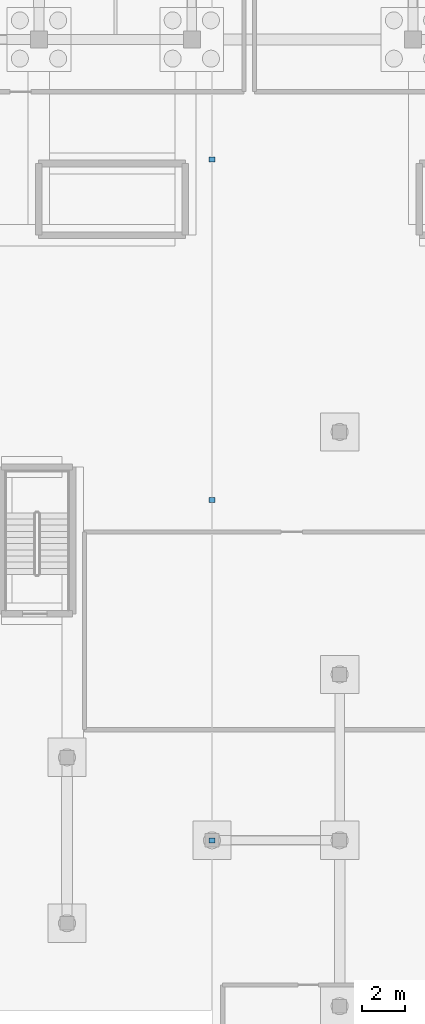
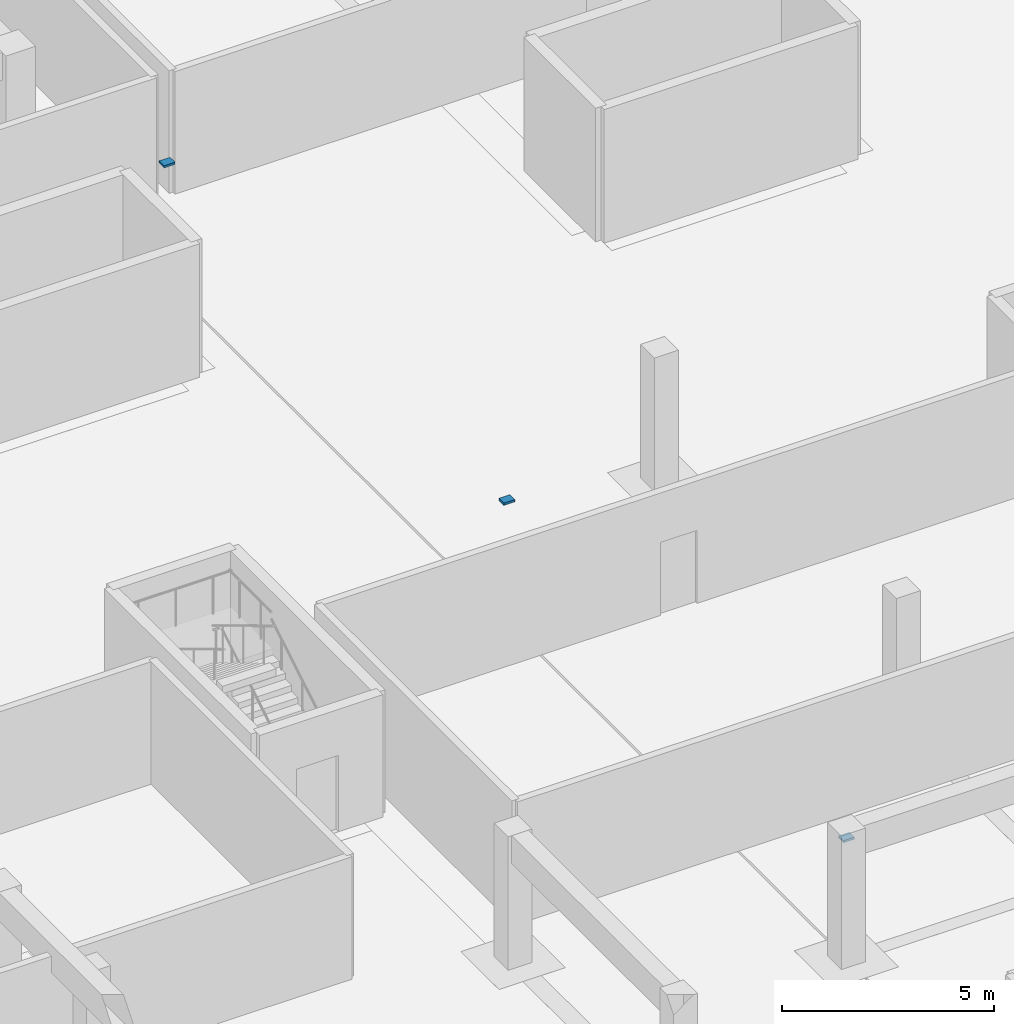
# One storey, part 30 of 35: 3 discrete accessories.
"""IFC4 building model written with IfcOpenShell, lengths in metres."""

from ifc_helpers import new_model, si_unit, direction, frame, origin, origin_2d, place, context, subcontext, project, spatial, rectangle, extrude, material, type_object, element, save


model = new_model("IFC4")

# Units and contexts
model_context = context("Model", 3, precision=1e-05, world=origin(), true_north=direction((0.0, 1.0)))
body_context = subcontext(model_context, "Body", "Model", "MODEL_VIEW")
ifc_project = project(units=[si_unit("LENGTHUNIT", "METRE"), si_unit("AREAUNIT", "SQUARE_METRE"), si_unit("VOLUMEUNIT", "CUBIC_METRE"), si_unit("PLANEANGLEUNIT", "RADIAN"), si_unit("MASSUNIT", "GRAM", prefix="KILO")], contexts=[model_context])

# Site, building, storey
site_placement = place(None, origin())
site = spatial("IfcSite", under=ifc_project, at=site_placement, CompositionType="ELEMENT")
building_placement = place(site_placement, origin())
building = spatial("IfcBuilding", under=site, at=building_placement, Name="Keldmere Railside Commons", CompositionType="ELEMENT")
storey_placement = place(building_placement, frame((0.0, 0.0, -3.840087890625)))
storey = spatial("IfcBuildingStorey", under=building, at=storey_placement, Name="B1", CompositionType="ELEMENT", Elevation=-3.840087890625)

# Discrete accessories
ifc_material = material(Name="Steel F-36 (S355)", Category="steel")
discrete_accessory_type = type_object("IfcDiscreteAccessoryType", Name="Unguided PTFE Elastomeric Movement-Joint Bearing", PredefinedType="BRACKET", material=ifc_material)
for number, where, z_axis, x_axis, name in (
    (1, (138.0, 72.0, 3.4599609375), (0.0, 0.0, 1.0), (1.0, 0.0, 0.0), "PTFE Sliding Bearing BRG-07"),
    (2, (138.0, 88.0, 3.4599609375), (0.0, 0.0, 1.0), (1.0, 0.0, 0.0), "PTFE Sliding Bearing BRG-08"),
    (3, (138.0, 104.0, 3.4599609375), (0.0, 0.0, 1.0), (1.0, 0.0, 0.0), "PTFE Sliding Bearing BRG-09"),
):
    element("IfcDiscreteAccessory", number, at=place(storey_placement, frame(where, z_axis=z_axis, x_axis=x_axis)), inside=storey, type_object=discrete_accessory_type, Name=name, PredefinedType="BRACKET", context=body_context, shape_type="SweptSolid", body=[
        extrude(rectangle(XDim=0.300048828125, YDim=0.239990234375, at=origin_2d()), origin(), (0.0, 0.0, 1.0), 0.06005859375),
    ])

save(model, "model.ifc")
